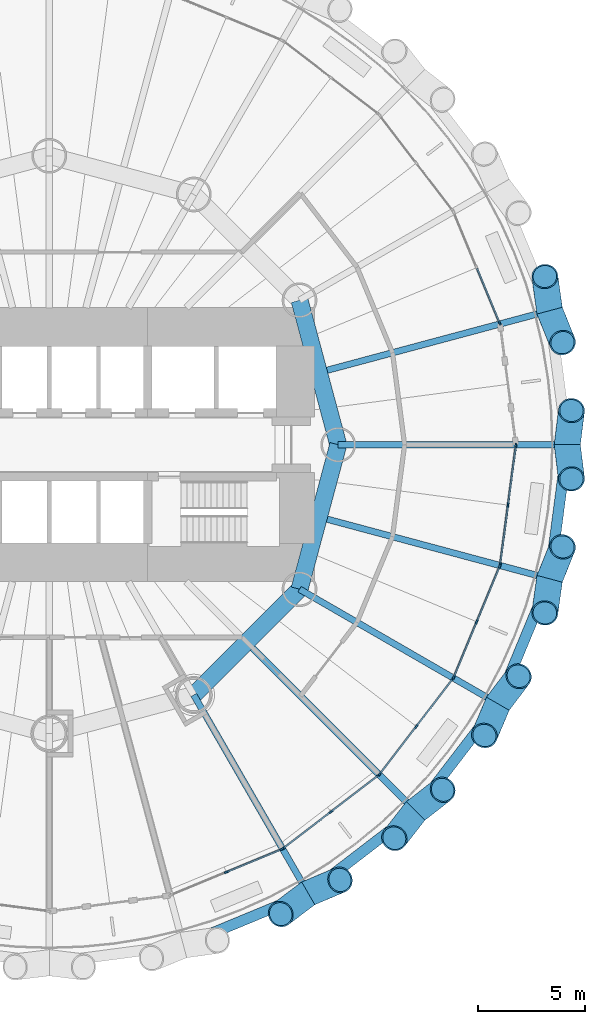
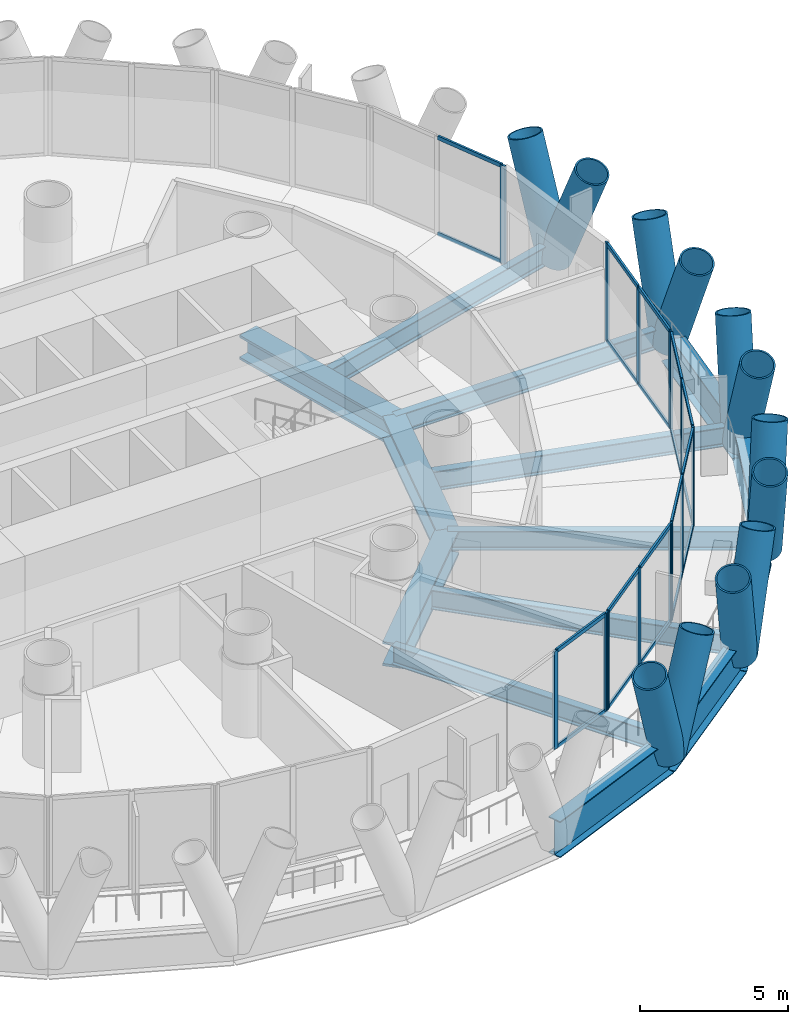
# One storey, part 4 of 16: 47 members, 14 beams, 6 elements without a shape of their own.
"""IFC4 building model written with IfcOpenShell, lengths in metres."""

import ifcopenshell
import ifcopenshell.guid

model = None  # the IFC model being written
_history = None  # IfcOwnerHistory: only IFC2X3 demands one
_inside = {}  # id of a spatial element -> (the spatial element, [elements in it])
_under = {}  # id of a project, library or spatial element -> (it, [spatial elements below it])
_declared = {}  # id of a project -> (the project, [libraries it declares])
_typed = {}  # id of a type object -> (the type object, [elements of that type])
_made_of = {}  # id of a material, layer set ... -> (it, [elements and type objects made of it])


def new_model(schema):
    """Start an empty IFC model of exactly this schema.

    Asked for "IFC4X3", IfcOpenShell would pick the latest addendum, in which some entities
    have other attributes; the version numbers below select the first issue.
    IFC2X3 requires an IfcOwnerHistory on every rooted entity: one is made here for all.
    """
    global model, _history
    if schema == "IFC4X3":
        model = ifcopenshell.file(schema_version=(4, 3, 0, 0))
    else:
        model = ifcopenshell.file(schema=schema)
    _inside.clear()
    _under.clear()
    _declared.clear()
    _typed.clear()
    _made_of.clear()
    _history = None
    if model.schema == "IFC2X3":
        org = make("IfcOrganization", Name="unknown")
        user = make(
            "IfcPersonAndOrganization",
            ThePerson=make("IfcPerson", FamilyName="unknown"),
            TheOrganization=org,
        )
        app = make(
            "IfcApplication",
            ApplicationDeveloper=org,
            Version="unknown",
            ApplicationFullName="unknown",
            ApplicationIdentifier="unknown",
        )
        _history = make(
            "IfcOwnerHistory",
            OwningUser=user,
            OwningApplication=app,
            ChangeAction="ADDED",
            CreationDate=0,
        )
    return model


def make(cls, **values):
    """One entity of the class cls with the attributes given. An attribute that is None is left unset."""
    return model.create_entity(
        cls, **{name: value for name, value in values.items() if value is not None}
    )


def rooted(cls, **values):
    """An entity with a GlobalId (a new one), such as an element, a storey or a relation."""
    return make(cls, GlobalId=ifcopenshell.guid.new(), OwnerHistory=_history, **values)


def si_unit(unit_type, name, prefix=None):
    """IfcSIUnit, for example si_unit("LENGTHUNIT", "METRE", prefix="MILLI")."""
    return make("IfcSIUnit", UnitType=unit_type, Prefix=prefix, Name=name)


def assignment(units):
    """IfcUnitAssignment: the units of a project."""
    return None if units is None else make("IfcUnitAssignment", Units=units)


def point(xyz):
    """IfcCartesianPoint."""
    return None if xyz is None else make("IfcCartesianPoint", Coordinates=xyz)


def direction(xyz):
    """IfcDirection."""
    return None if xyz is None else make("IfcDirection", DirectionRatios=xyz)


def frame(location, z_axis=None, x_axis=None):
    """IfcAxis2Placement3D, a coordinate frame: its origin and axes. An axis left out is left unset."""
    return make(
        "IfcAxis2Placement3D",
        Location=point(location),
        Axis=direction(z_axis),
        RefDirection=direction(x_axis),
    )


def frame_2d(location, x_axis=None):
    """IfcAxis2Placement2D, a coordinate frame in the plane: its origin and x axis."""
    return make(
        "IfcAxis2Placement2D", Location=point(location), RefDirection=direction(x_axis)
    )


def origin():
    """The frame at (0, 0, 0) with its axes left unset."""
    return frame((0.0, 0.0, 0.0))


def origin_2d():
    """The frame at (0, 0) in the plane with its x axis left unset."""
    return frame_2d((0.0, 0.0))


def place(relative_to, where):
    """IfcLocalPlacement: puts the frame where relative to a parent placement (None: the world)."""
    return make(
        "IfcLocalPlacement", PlacementRelTo=relative_to, RelativePlacement=where
    )


def context(
    kind, dimensions, precision=None, world=None, true_north=None, identifier=None
):
    """IfcGeometricRepresentationContext, for example the 3D "Model" context."""
    return make(
        "IfcGeometricRepresentationContext",
        ContextIdentifier=identifier,
        ContextType=kind,
        CoordinateSpaceDimension=dimensions,
        Precision=precision,
        WorldCoordinateSystem=world,
        TrueNorth=true_north,
    )


def subcontext(parent, identifier, kind, view, scale=None):
    """IfcGeometricRepresentationSubContext, for example "Body" below "Model"."""
    return make(
        "IfcGeometricRepresentationSubContext",
        ContextIdentifier=identifier,
        ContextType=kind,
        ParentContext=parent,
        TargetScale=scale,
        TargetView=view,
    )


def project(units=None, contexts=None):
    """IfcProject with its units and contexts."""
    return rooted(
        "IfcProject",
        Name="project",
        RepresentationContexts=contexts,
        UnitsInContext=assignment(units),
    )


def spatial(cls, under=None, at=None, **own):
    """A site, building, storey or space (cls), placed at a placement, below another one or the project."""
    s = rooted(cls, ObjectPlacement=at, **own)
    if under is not None:
        _under.setdefault(under.id(), (under, []))[1].append(s)
    return s


def profile(cls, at=None, kind="AREA", **sizes):
    """A parametric profile (cls). Its sizes go by their IFC names, for example OverallWidth=200.0."""
    return make(cls, ProfileType=kind, Position=at, **sizes)


def rectangle(**sizes):
    """IfcRectangleProfileDef."""
    return profile("IfcRectangleProfileDef", **sizes)


def hollow_circle(**sizes):
    """IfcCircleHollowProfileDef."""
    return profile("IfcCircleHollowProfileDef", **sizes)


def i_section(**sizes):
    """IfcIShapeProfileDef."""
    return profile("IfcIShapeProfileDef", **sizes)


def extrude(swept, where, along, depth):
    """IfcExtrudedAreaSolid: the profile swept, set in the frame where, extruded along a direction by depth."""
    return make(
        "IfcExtrudedAreaSolid",
        SweptArea=swept,
        Position=where,
        ExtrudedDirection=direction(along),
        Depth=depth,
    )


def shape(context_of_items, identifier, shape_type, items):
    """IfcShapeRepresentation: the items that make up one representation, for example the "Body"."""
    return make(
        "IfcShapeRepresentation",
        ContextOfItems=context_of_items,
        RepresentationIdentifier=identifier,
        RepresentationType=shape_type,
        Items=items,
    )


def material(Name=None, Category=None):
    """IfcMaterial."""
    return make("IfcMaterial", Name=Name, Category=Category)


def material_profile(
    of_material, cross_section, Name=None, Category=None, Priority=None
):
    """IfcMaterialProfile: a cross section and its material."""
    return make(
        "IfcMaterialProfile",
        Name=Name,
        Material=of_material,
        Profile=cross_section,
        Priority=Priority,
        Category=Category,
    )


def profile_set(profiles, Name=None, composite=None):
    """IfcMaterialProfileSet."""
    return make(
        "IfcMaterialProfileSet",
        Name=Name,
        MaterialProfiles=profiles,
        CompositeProfile=composite,
    )


def made_of(thing, what):
    """Note that an element or type object is made of a material, layer set ...; save() writes the relation."""
    if what is not None:
        _made_of.setdefault(what.id(), (what, []))[1].append(thing)
    return thing


def type_object(cls, material=None, **own):
    """A type object (cls), such as IfcWallType, which elements share."""
    return made_of(rooted(cls, **own), material)


def element(
    cls,
    number,
    at=None,
    inside=None,
    cuts=None,
    type_object=None,
    material=None,
    context=None,
    identifier="Body",
    shape_type=None,
    held_by="IfcProductDefinitionShape",
    body=None,
    shapes=None,
    **own,
):
    """One element of the class cls, such as IfcWall. Its Tag is "e" and its number.

    at: its placement. inside: the storey or other place that contains it. cuts: it is an
    opening in that element (IfcRelVoidsElement). A single representation is given by context,
    identifier, shape_type and body (its items); several are given by shapes. held_by: the class
    of the entity that holds the representations. save() writes the other relations.
    """
    e = rooted(cls, Tag="e%d" % number, ObjectPlacement=at, **own)
    if body is not None:
        shapes = [shape(context, identifier, shape_type, body)]
    if shapes is not None:
        e.Representation = make(held_by, Representations=shapes)
    if inside is not None:
        _inside.setdefault(inside.id(), (inside, []))[1].append(e)
    if cuts is not None:
        rooted(
            "IfcRelVoidsElement", RelatingBuildingElement=cuts, RelatedOpeningElement=e
        )
    if type_object is not None:
        _typed.setdefault(type_object.id(), (type_object, []))[1].append(e)
    return made_of(e, material)


def aggregate(whole, parts):
    """IfcRelAggregates: a whole, such as a stair, and the parts it consists of."""
    return rooted("IfcRelAggregates", RelatingObject=whole, RelatedObjects=parts)


def save(model, path):
    """Write the relations noted so far, then the file.

    IfcRelAggregates (storeys below a building ...), IfcRelContainedInSpatialStructure (elements
    in a storey), IfcRelDefinesByType, IfcRelAssociatesMaterial and IfcRelDeclares: one each for
    every whole, place, type object, material and project.
    """
    for whole, parts in _under.values():
        aggregate(whole, parts)
    for where, things in _inside.values():
        rooted(
            "IfcRelContainedInSpatialStructure",
            RelatedElements=things,
            RelatingStructure=where,
        )
    for kind, things in _typed.values():
        rooted("IfcRelDefinesByType", RelatedObjects=things, RelatingType=kind)
    for what, things in _made_of.values():
        rooted("IfcRelAssociatesMaterial", RelatedObjects=things, RelatingMaterial=what)
    for by, libraries in _declared.values():
        rooted("IfcRelDeclares", RelatingContext=by, RelatedDefinitions=libraries)
    model.write(path)


model = new_model("IFC4")

# Units and contexts
model_context = context("Model", 3, precision=1e-05, world=origin(), true_north=direction((0.0, 1.0)))
body_context = subcontext(model_context, "Body", "Model", "MODEL_VIEW")
ifc_project = project(units=[si_unit("LENGTHUNIT", "METRE"), si_unit("AREAUNIT", "SQUARE_METRE"), si_unit("VOLUMEUNIT", "CUBIC_METRE"), si_unit("PLANEANGLEUNIT", "RADIAN"), si_unit("MASSUNIT", "GRAM", prefix="KILO")], contexts=[model_context])

# Site, building, storey
site_placement = place(None, origin())
site = spatial("IfcSite", under=ifc_project, at=site_placement, CompositionType="ELEMENT")
building_placement = place(site_placement, origin())
building = spatial("IfcBuilding", under=site, at=building_placement, Name="Qaws Media Tower", CompositionType="ELEMENT")
storey_placement = place(building_placement, frame((0.0, 0.0, 42.800048828125)))
storey = spatial("IfcBuildingStorey", under=building, at=storey_placement, Name="L08", CompositionType="ELEMENT", Elevation=42.800048828125)

# Curtain wall, member
ifc_material_1 = material(Name="Aluminium and clear glass", Category="aluminium")
curtain_wall_type = type_object("IfcCurtainWallType", Name="Unitised curtain wall CW-A", PredefinedType="NOTDEFINED", material=ifc_material_1)
curtain_wall_1_placement = place(storey_placement, origin())
curtain_wall_1 = element("IfcCurtainWall", 1, at=curtain_wall_1_placement, inside=storey, type_object=curtain_wall_type, Name="CWA curtain wall L08-02", PredefinedType="NOTDEFINED")
ifc_material_2 = material(Name="Aluminium mullion", Category="aluminium")
ifc_material_profile_1 = material_profile(ifc_material_2, rectangle(XDim=0.080078125, YDim=0.199951171875, at=origin_2d()), Name="80x200")
ifc_profile_set_1 = profile_set([ifc_material_profile_1], Name="Aluminium mullion")
member_type_1 = type_object("IfcMemberType", Name="Curtain wall mullion 80x200", PredefinedType="MULLION", material=ifc_profile_set_1)
member_1_placement = place(storey_placement, frame((81.0419921875, 55.67919921875, 0.0), z_axis=(0.0, 0.0, 1.0), x_axis=(-0.923879550311, -0.382683389393, 0.0)))
member_1 = element("IfcMember", 2, at=member_1_placement, type_object=member_type_1, Name="CWA mullion 1", PredefinedType="MULLION", context=body_context, shape_type="SweptSolid", body=[
    extrude(rectangle(XDim=0.080078125, YDim=0.199951171875, at=origin_2d()), origin(), (0.0, 0.0, 1.0), 4.0400390625),
])

# Curtain wall, members
curtain_wall_2_placement = place(storey_placement, origin())
curtain_wall_2 = element("IfcCurtainWall", 3, at=curtain_wall_2_placement, inside=storey, type_object=curtain_wall_type, Name="CWA curtain wall L08-20", PredefinedType="NOTDEFINED")
member_2_placement = place(storey_placement, frame((68.271240234375, 30.03173828125, 0.0), z_axis=(0.0, 0.0, 1.0), x_axis=(-0.382683389393, 0.923879550311, 0.0)))
member_2 = element("IfcMember", 4, at=member_2_placement, type_object=member_type_1, Name="CWA mullion 2", PredefinedType="MULLION", context=body_context, shape_type="SweptSolid", body=[
    extrude(rectangle(XDim=0.080078125, YDim=0.199951171875, at=origin_2d()), origin(), (0.0, 0.0, 1.0), 4.0400390625),
])
member_3_placement = place(storey_placement, frame((70.863037109375, 31.105224609375, 0.0), z_axis=(0.0, 0.0, 1.0), x_axis=(-0.382683389393, 0.923879550311, 0.0)))
member_3 = element("IfcMember", 5, at=member_3_placement, type_object=member_type_1, Name="CWA mullion 3", PredefinedType="MULLION", context=body_context, shape_type="SweptSolid", body=[
    extrude(rectangle(XDim=0.080078125, YDim=0.199951171875, at=origin_2d()), origin(), (0.0, 0.0, 1.0), 4.0400390625),
])

curtain_wall_3_placement = place(storey_placement, origin())
curtain_wall_3 = element("IfcCurtainWall", 6, at=curtain_wall_3_placement, inside=storey, type_object=curtain_wall_type, Name="CWA curtain wall L08-21", PredefinedType="NOTDEFINED")
member_4_placement = place(storey_placement, frame((70.931640625, 31.14501953125, 0.0), z_axis=(0.0, 0.0, 1.0), x_axis=(-0.608761417599, 0.793353349046, 0.0)))
member_4 = element("IfcMember", 7, at=member_4_placement, type_object=member_type_1, Name="CWA mullion 1", PredefinedType="MULLION", context=body_context, shape_type="SweptSolid", body=[
    extrude(rectangle(XDim=0.080078125, YDim=0.199951171875, at=origin_2d()), origin(), (0.0, 0.0, 1.0), 4.0400390625),
])
member_5_placement = place(storey_placement, frame((73.157470703125, 32.852783203125, 0.0), z_axis=(0.0, 0.0, 1.0), x_axis=(-0.608761417599, 0.793353349046, 0.0)))
member_5 = element("IfcMember", 8, at=member_5_placement, type_object=member_type_1, Name="CWA mullion 2", PredefinedType="MULLION", context=body_context, shape_type="SweptSolid", body=[
    extrude(rectangle(XDim=0.080078125, YDim=0.199951171875, at=origin_2d()), origin(), (0.0, 0.0, 1.0), 4.0400390625),
])
member_6_placement = place(storey_placement, frame((75.38330078125, 34.560791015625, 0.0), z_axis=(0.0, 0.0, 1.0), x_axis=(-0.608761417599, 0.793353349046, 0.0)))
member_6 = element("IfcMember", 9, at=member_6_placement, type_object=member_type_1, Name="CWA mullion 3", PredefinedType="MULLION", context=body_context, shape_type="SweptSolid", body=[
    extrude(rectangle(XDim=0.080078125, YDim=0.199951171875, at=origin_2d()), origin(), (0.0, 0.0, 1.0), 4.0400390625),
])

curtain_wall_4_placement = place(storey_placement, origin())
curtain_wall_4 = element("IfcCurtainWall", 10, at=curtain_wall_4_placement, inside=storey, type_object=curtain_wall_type, Name="CWA curtain wall L08-22", PredefinedType="NOTDEFINED")
member_7_placement = place(storey_placement, frame((75.439208984375, 34.61669921875, 0.0), z_axis=(0.0, 0.0, 1.0), x_axis=(-0.793353349046, 0.608761417599, 0.0)))
member_7 = element("IfcMember", 11, at=member_7_placement, type_object=member_type_1, Name="CWA mullion 1", PredefinedType="MULLION", context=body_context, shape_type="SweptSolid", body=[
    extrude(rectangle(XDim=0.080078125, YDim=0.199951171875, at=origin_2d()), origin(), (0.0, 0.0, 1.0), 4.0400390625),
])
member_8_placement = place(storey_placement, frame((77.147216796875, 36.842529296875, 0.0), z_axis=(0.0, 0.0, 1.0), x_axis=(-0.793353349046, 0.608761417599, 0.0)))
member_8 = element("IfcMember", 12, at=member_8_placement, type_object=member_type_1, Name="CWA mullion 2", PredefinedType="MULLION", context=body_context, shape_type="SweptSolid", body=[
    extrude(rectangle(XDim=0.080078125, YDim=0.199951171875, at=origin_2d()), origin(), (0.0, 0.0, 1.0), 4.0400390625),
])
member_9_placement = place(storey_placement, frame((78.85498046875, 39.068359375, 0.0), z_axis=(0.0, 0.0, 1.0), x_axis=(-0.793353349046, 0.608761417599, 0.0)))
member_9 = element("IfcMember", 13, at=member_9_placement, type_object=member_type_1, Name="CWA mullion 3", PredefinedType="MULLION", context=body_context, shape_type="SweptSolid", body=[
    extrude(rectangle(XDim=0.080078125, YDim=0.199951171875, at=origin_2d()), origin(), (0.0, 0.0, 1.0), 4.0400390625),
])

curtain_wall_5_placement = place(storey_placement, origin())
curtain_wall_5 = element("IfcCurtainWall", 14, at=curtain_wall_5_placement, inside=storey, type_object=curtain_wall_type, Name="CWA curtain wall L08-23", PredefinedType="NOTDEFINED")
member_10_placement = place(storey_placement, frame((78.894775390625, 39.136962890625, 0.0), z_axis=(0.0, 0.0, 1.0), x_axis=(-0.923879550311, 0.382683389393, 0.0)))
member_10 = element("IfcMember", 15, at=member_10_placement, type_object=member_type_1, Name="CWA mullion 1", PredefinedType="MULLION", context=body_context, shape_type="SweptSolid", body=[
    extrude(rectangle(XDim=0.080078125, YDim=0.199951171875, at=origin_2d()), origin(), (0.0, 0.0, 1.0), 4.0400390625),
])
member_11_placement = place(storey_placement, frame((79.96826171875, 41.728759765625, 0.0), z_axis=(0.0, 0.0, 1.0), x_axis=(-0.923879550311, 0.382683389393, 0.0)))
member_11 = element("IfcMember", 16, at=member_11_placement, type_object=member_type_1, Name="CWA mullion 2", PredefinedType="MULLION", context=body_context, shape_type="SweptSolid", body=[
    extrude(rectangle(XDim=0.080078125, YDim=0.199951171875, at=origin_2d()), origin(), (0.0, 0.0, 1.0), 4.0400390625),
])
member_12_placement = place(storey_placement, frame((81.0419921875, 44.32080078125, 0.0), z_axis=(0.0, 0.0, 1.0), x_axis=(-0.923879550311, 0.382683389393, 0.0)))
member_12 = element("IfcMember", 17, at=member_12_placement, type_object=member_type_1, Name="CWA mullion 3", PredefinedType="MULLION", context=body_context, shape_type="SweptSolid", body=[
    extrude(rectangle(XDim=0.080078125, YDim=0.199951171875, at=origin_2d()), origin(), (0.0, 0.0, 1.0), 4.0400390625),
])

curtain_wall_6_placement = place(storey_placement, origin())
curtain_wall_6 = element("IfcCurtainWall", 18, at=curtain_wall_6_placement, inside=storey, type_object=curtain_wall_type, Name="CWA curtain wall L08-24", PredefinedType="NOTDEFINED")
member_13_placement = place(storey_placement, frame((81.0625, 44.3974609375, 0.0), z_axis=(0.0, 0.0, 1.0), x_axis=(-0.991444860526, 0.130526198657, 0.0)))
member_13 = element("IfcMember", 19, at=member_13_placement, type_object=member_type_1, Name="CWA mullion 1", PredefinedType="MULLION", context=body_context, shape_type="SweptSolid", body=[
    extrude(rectangle(XDim=0.080078125, YDim=0.199951171875, at=origin_2d()), origin(), (0.0, 0.0, 1.0), 4.0400390625),
])
member_14_placement = place(storey_placement, frame((81.4287109375, 47.178955078125, 0.0), z_axis=(0.0, 0.0, 1.0), x_axis=(-0.991444860526, 0.130526198657, 0.0)))
member_14 = element("IfcMember", 20, at=member_14_placement, type_object=member_type_1, Name="CWA mullion 2", PredefinedType="MULLION", context=body_context, shape_type="SweptSolid", body=[
    extrude(rectangle(XDim=0.080078125, YDim=0.199951171875, at=origin_2d()), origin(), (0.0, 0.0, 1.0), 4.0400390625),
])
member_15_placement = place(storey_placement, frame((81.794677734375, 49.96044921875, 0.0), z_axis=(0.0, 0.0, 1.0), x_axis=(-0.991444860526, 0.130526198657, 0.0)))
member_15 = element("IfcMember", 21, at=member_15_placement, type_object=member_type_1, Name="CWA mullion 3", PredefinedType="MULLION", context=body_context, shape_type="SweptSolid", body=[
    extrude(rectangle(XDim=0.080078125, YDim=0.199951171875, at=origin_2d()), origin(), (0.0, 0.0, 1.0), 4.0400390625),
])

# Member
ifc_material_3 = material(Name="Aluminium transom", Category="aluminium")
ifc_material_profile_2 = material_profile(ifc_material_3, rectangle(XDim=0.080078125, YDim=0.159912109375, at=origin_2d()), Name="80x160")
ifc_profile_set_2 = profile_set([ifc_material_profile_2], Name="Aluminium transom")
member_type_2 = type_object("IfcMemberType", Name="Curtain wall transom 80x160", PredefinedType="USERDEFINED", material=ifc_profile_set_2)
member_16_placement = place(storey_placement, frame((81.026611328125, 55.716064453125, 0.0400390625), z_axis=(-0.382668241498, 0.923885824628, 0.0), x_axis=(-0.923885824628, -0.382668241498, 0.0)))
member_16 = element("IfcMember", 22, at=member_16_placement, type_object=member_type_2, Name="CWA transom 1.1", ObjectType="TRANSOM", PredefinedType="USERDEFINED", context=body_context, shape_type="SweptSolid", body=[
    extrude(rectangle(XDim=0.080078125, YDim=0.159912109375, at=origin_2d()), origin(), (0.0, 0.0, 1.0), 2.7255859375),
])

member_17_placement = place(storey_placement, frame((81.026611328125, 55.716064453125, 4.0), z_axis=(-0.382668241498, 0.923885824628, 0.0), x_axis=(-0.923885824628, -0.382668241498, 0.0)))
member_17 = element("IfcMember", 23, at=member_17_placement, type_object=member_type_2, Name="CWA transom 1.2", ObjectType="TRANSOM", PredefinedType="USERDEFINED", context=body_context, shape_type="SweptSolid", body=[
    extrude(rectangle(XDim=0.080078125, YDim=0.159912109375, at=origin_2d()), origin(), (0.0, 0.0, 1.0), 2.7255859375),
])

aggregate(curtain_wall_1, [member_1, member_16, member_17])

member_18_placement = place(storey_placement, frame((68.30810546875, 30.047119140625, 0.0400390625), z_axis=(0.923885824628, 0.382668241498, 0.0), x_axis=(-0.382668241498, 0.923885824628, 0.0)))
member_18 = element("IfcMember", 24, at=member_18_placement, type_object=member_type_2, Name="CWA transom 2.1", ObjectType="TRANSOM", PredefinedType="USERDEFINED", context=body_context, shape_type="SweptSolid", body=[
    extrude(rectangle(XDim=0.080078125, YDim=0.159912109375, at=origin_2d()), origin(), (0.0, 0.0, 1.0), 2.7255859375),
])

member_19_placement = place(storey_placement, frame((68.30810546875, 30.047119140625, 4.0), z_axis=(0.923885824628, 0.382668241498, 0.0), x_axis=(-0.382668241498, 0.923885824628, 0.0)))
member_19 = element("IfcMember", 25, at=member_19_placement, type_object=member_type_2, Name="CWA transom 2.2", ObjectType="TRANSOM", PredefinedType="USERDEFINED", context=body_context, shape_type="SweptSolid", body=[
    extrude(rectangle(XDim=0.080078125, YDim=0.159912109375, at=origin_2d()), origin(), (0.0, 0.0, 1.0), 2.7255859375),
])

aggregate(curtain_wall_2, [member_2, member_3, member_18, member_19])

member_20_placement = place(storey_placement, frame((70.96337890625, 31.16943359375, 0.0400390625), z_axis=(0.793362647097, 0.608749299951, 0.0), x_axis=(-0.608749299951, 0.793362647097, 0.0)))
member_20 = element("IfcMember", 26, at=member_20_placement, type_object=member_type_2, Name="CWA transom 1.1", ObjectType="TRANSOM", PredefinedType="USERDEFINED", context=body_context, shape_type="SweptSolid", body=[
    extrude(rectangle(XDim=0.080078125, YDim=0.159912109375, at=origin_2d()), origin(), (0.0, 0.0, 1.0), 2.7255859375),
])

member_21_placement = place(storey_placement, frame((70.96337890625, 31.16943359375, 4.0), z_axis=(0.793362647097, 0.608749299951, 0.0), x_axis=(-0.608749299951, 0.793362647097, 0.0)))
member_21 = element("IfcMember", 27, at=member_21_placement, type_object=member_type_2, Name="CWA transom 1.2", ObjectType="TRANSOM", PredefinedType="USERDEFINED", context=body_context, shape_type="SweptSolid", body=[
    extrude(rectangle(XDim=0.080078125, YDim=0.159912109375, at=origin_2d()), origin(), (0.0, 0.0, 1.0), 2.7255859375),
])

member_22_placement = place(storey_placement, frame((73.189208984375, 32.877197265625, 0.0400390625), z_axis=(0.793362647097, 0.608749299951, 0.0), x_axis=(-0.608749299951, 0.793362647097, 0.0)))
member_22 = element("IfcMember", 28, at=member_22_placement, type_object=member_type_2, Name="CWA transom 2.1", ObjectType="TRANSOM", PredefinedType="USERDEFINED", context=body_context, shape_type="SweptSolid", body=[
    extrude(rectangle(XDim=0.080078125, YDim=0.159912109375, at=origin_2d()), origin(), (0.0, 0.0, 1.0), 2.7255859375),
])

member_23_placement = place(storey_placement, frame((73.189208984375, 32.877197265625, 4.0), z_axis=(0.793362647097, 0.608749299951, 0.0), x_axis=(-0.608749299951, 0.793362647097, 0.0)))
member_23 = element("IfcMember", 29, at=member_23_placement, type_object=member_type_2, Name="CWA transom 2.2", ObjectType="TRANSOM", PredefinedType="USERDEFINED", context=body_context, shape_type="SweptSolid", body=[
    extrude(rectangle(XDim=0.080078125, YDim=0.159912109375, at=origin_2d()), origin(), (0.0, 0.0, 1.0), 2.7255859375),
])

aggregate(curtain_wall_3, [member_4, member_5, member_6, member_20, member_21, member_22, member_23])

member_24_placement = place(storey_placement, frame((75.463623046875, 34.6484375, 0.0400390625), z_axis=(0.608749299951, 0.793362647097, 0.0), x_axis=(-0.793362647097, 0.608749299951, 0.0)))
member_24 = element("IfcMember", 30, at=member_24_placement, type_object=member_type_2, Name="CWA transom 1.1", ObjectType="TRANSOM", PredefinedType="USERDEFINED", context=body_context, shape_type="SweptSolid", body=[
    extrude(rectangle(XDim=0.080078125, YDim=0.159912109375, at=origin_2d()), origin(), (0.0, 0.0, 1.0), 2.7255859375),
])

member_25_placement = place(storey_placement, frame((75.463623046875, 34.6484375, 4.0), z_axis=(0.608749299951, 0.793362647097, 0.0), x_axis=(-0.793362647097, 0.608749299951, 0.0)))
member_25 = element("IfcMember", 31, at=member_25_placement, type_object=member_type_2, Name="CWA transom 1.2", ObjectType="TRANSOM", PredefinedType="USERDEFINED", context=body_context, shape_type="SweptSolid", body=[
    extrude(rectangle(XDim=0.080078125, YDim=0.159912109375, at=origin_2d()), origin(), (0.0, 0.0, 1.0), 2.7255859375),
])

member_26_placement = place(storey_placement, frame((77.17138671875, 36.874267578125, 0.0400390625), z_axis=(0.608749299951, 0.793362647097, 0.0), x_axis=(-0.793362647097, 0.608749299951, 0.0)))
member_26 = element("IfcMember", 32, at=member_26_placement, type_object=member_type_2, Name="CWA transom 2.1", ObjectType="TRANSOM", PredefinedType="USERDEFINED", context=body_context, shape_type="SweptSolid", body=[
    extrude(rectangle(XDim=0.080078125, YDim=0.159912109375, at=origin_2d()), origin(), (0.0, 0.0, 1.0), 2.7255859375),
])

member_27_placement = place(storey_placement, frame((77.17138671875, 36.874267578125, 4.0), z_axis=(0.608749299951, 0.793362647097, 0.0), x_axis=(-0.793362647097, 0.608749299951, 0.0)))
member_27 = element("IfcMember", 33, at=member_27_placement, type_object=member_type_2, Name="CWA transom 2.2", ObjectType="TRANSOM", PredefinedType="USERDEFINED", context=body_context, shape_type="SweptSolid", body=[
    extrude(rectangle(XDim=0.080078125, YDim=0.159912109375, at=origin_2d()), origin(), (0.0, 0.0, 1.0), 2.7255859375),
])

aggregate(curtain_wall_4, [member_7, member_8, member_9, member_24, member_25, member_26, member_27])

member_28_placement = place(storey_placement, frame((78.909912109375, 39.173828125, 0.0400390625), z_axis=(0.382668241498, 0.923885824628, 0.0), x_axis=(-0.923885824628, 0.382668241498, 0.0)))
member_28 = element("IfcMember", 34, at=member_28_placement, type_object=member_type_2, Name="CWA transom 1.1", ObjectType="TRANSOM", PredefinedType="USERDEFINED", context=body_context, shape_type="SweptSolid", body=[
    extrude(rectangle(XDim=0.080078125, YDim=0.159912109375, at=origin_2d()), origin(), (0.0, 0.0, 1.0), 2.7255859375),
])

member_29_placement = place(storey_placement, frame((78.909912109375, 39.173828125, 4.0), z_axis=(0.382668241498, 0.923885824628, 0.0), x_axis=(-0.923885824628, 0.382668241498, 0.0)))
member_29 = element("IfcMember", 35, at=member_29_placement, type_object=member_type_2, Name="CWA transom 1.2", ObjectType="TRANSOM", PredefinedType="USERDEFINED", context=body_context, shape_type="SweptSolid", body=[
    extrude(rectangle(XDim=0.080078125, YDim=0.159912109375, at=origin_2d()), origin(), (0.0, 0.0, 1.0), 2.7255859375),
])

member_30_placement = place(storey_placement, frame((79.983642578125, 41.765869140625, 0.0400390625), z_axis=(0.382668241498, 0.923885824628, 0.0), x_axis=(-0.923885824628, 0.382668241498, 0.0)))
member_30 = element("IfcMember", 36, at=member_30_placement, type_object=member_type_2, Name="CWA transom 2.1", ObjectType="TRANSOM", PredefinedType="USERDEFINED", context=body_context, shape_type="SweptSolid", body=[
    extrude(rectangle(XDim=0.080078125, YDim=0.159912109375, at=origin_2d()), origin(), (0.0, 0.0, 1.0), 2.7255859375),
])

member_31_placement = place(storey_placement, frame((79.983642578125, 41.765869140625, 4.0), z_axis=(0.382668241498, 0.923885824628, 0.0), x_axis=(-0.923885824628, 0.382668241498, 0.0)))
member_31 = element("IfcMember", 37, at=member_31_placement, type_object=member_type_2, Name="CWA transom 2.2", ObjectType="TRANSOM", PredefinedType="USERDEFINED", context=body_context, shape_type="SweptSolid", body=[
    extrude(rectangle(XDim=0.080078125, YDim=0.159912109375, at=origin_2d()), origin(), (0.0, 0.0, 1.0), 2.7255859375),
])

aggregate(curtain_wall_5, [member_10, member_11, member_12, member_28, member_29, member_30, member_31])

member_32_placement = place(storey_placement, frame((81.067626953125, 44.43701171875, 0.0400390625), z_axis=(0.130514759302, 0.991446366479, 0.0), x_axis=(-0.991446366479, 0.130514759302, 0.0)))
member_32 = element("IfcMember", 38, at=member_32_placement, type_object=member_type_2, Name="CWA transom 1.1", ObjectType="TRANSOM", PredefinedType="USERDEFINED", context=body_context, shape_type="SweptSolid", body=[
    extrude(rectangle(XDim=0.080078125, YDim=0.159912109375, at=origin_2d()), origin(), (0.0, 0.0, 1.0), 2.725341796875),
])

member_33_placement = place(storey_placement, frame((81.067626953125, 44.43701171875, 4.0), z_axis=(0.130514759302, 0.991446366479, 0.0), x_axis=(-0.991446366479, 0.130514759302, 0.0)))
member_33 = element("IfcMember", 39, at=member_33_placement, type_object=member_type_2, Name="CWA transom 1.2", ObjectType="TRANSOM", PredefinedType="USERDEFINED", context=body_context, shape_type="SweptSolid", body=[
    extrude(rectangle(XDim=0.080078125, YDim=0.159912109375, at=origin_2d()), origin(), (0.0, 0.0, 1.0), 2.725341796875),
])

member_34_placement = place(storey_placement, frame((81.433837890625, 47.218505859375, 0.0400390625), z_axis=(0.130514759302, 0.991446366479, 0.0), x_axis=(-0.991446366479, 0.130514759302, 0.0)))
member_34 = element("IfcMember", 40, at=member_34_placement, type_object=member_type_2, Name="CWA transom 2.1", ObjectType="TRANSOM", PredefinedType="USERDEFINED", context=body_context, shape_type="SweptSolid", body=[
    extrude(rectangle(XDim=0.080078125, YDim=0.159912109375, at=origin_2d()), origin(), (0.0, 0.0, 1.0), 2.725341796875),
])

member_35_placement = place(storey_placement, frame((81.433837890625, 47.218505859375, 4.0), z_axis=(0.130514759302, 0.991446366479, 0.0), x_axis=(-0.991446366479, 0.130514759302, 0.0)))
member_35 = element("IfcMember", 41, at=member_35_placement, type_object=member_type_2, Name="CWA transom 2.2", ObjectType="TRANSOM", PredefinedType="USERDEFINED", context=body_context, shape_type="SweptSolid", body=[
    extrude(rectangle(XDim=0.080078125, YDim=0.159912109375, at=origin_2d()), origin(), (0.0, 0.0, 1.0), 2.725341796875),
])

aggregate(curtain_wall_6, [member_13, member_14, member_15, member_32, member_33, member_34, member_35])

# Members
ifc_material_4 = material(Name="Steel S460", Category="steel")
ifc_material_profile_3 = material_profile(ifc_material_4, hollow_circle(Radius=0.609619140625, WallThickness=0.06005859375, at=origin_2d()), Name="CHS 1219x60")
ifc_profile_set_3 = profile_set([ifc_material_profile_3], Name="Steel S460")
member_type_3 = type_object("IfcMemberType", Name="Diagrid member CHS 1219x60", PredefinedType="USERDEFINED", material=ifc_profile_set_3)
for number, where, z_axis, x_axis, name in (
    (42, (84.199951171875, 50.0, -0.91015625), (0.043958409126, 0.35546614787, 0.933654901977), (-0.992440190857, 0.122729244976, 0.0), "DG1 diagrid L08 A01"),
    (43, (84.199951171875, 50.0, -0.91015625), (0.043958409126, -0.35546614787, 0.933654901977), (0.992440190857, 0.122729244976, 0.0), "DG1 diagrid L08 B01"),
):
    element("IfcMember", number, at=place(storey_placement, frame(where, z_axis=z_axis, x_axis=x_axis)), inside=storey, type_object=member_type_3, Name=name, ObjectType="DIAGRID", PredefinedType="USERDEFINED", context=body_context, shape_type="SweptSolid", body=[
        extrude(hollow_circle(Radius=0.609619140625, WallThickness=0.06005859375, at=origin_2d()), origin(), (0.0, 0.0, 1.0), 4.498779296875),
    ])
for number, where, z_axis, x_axis, name in (
    (44, (83.37548828125, 56.263427734375, -0.91015625), (-0.049602737239, 0.354708414218, 0.933660275122), (-0.990363372463, -0.138493286786, 0.0), "DG1 diagrid L08 A02"),
    (45, (83.37548828125, 56.263427734375, -0.91015625), (0.134426965907, -0.331970024406, 0.933662301763), (0.926890339933, 0.375332249798, 0.0), "DG1 diagrid L08 B02"),
    (46, (72.10009765625, 29.042236328125, -0.91015625), (0.329798159412, 0.139690712906, 0.933659294805), (-0.390020571531, 0.920806143432, 0.0), "DG1 diagrid L08 A21"),
):
    element("IfcMember", number, at=place(storey_placement, frame(where, z_axis=z_axis, x_axis=x_axis)), inside=storey, type_object=member_type_3, Name=name, ObjectType="DIAGRID", PredefinedType="USERDEFINED", context=body_context, shape_type="SweptSolid", body=[
        extrude(hollow_circle(Radius=0.609619140625, WallThickness=0.06005859375, at=origin_2d()), origin(), (0.0, 0.0, 1.0), 4.49853515625),
    ])
member_36_placement = place(storey_placement, frame((72.10009765625, 29.042236328125, -0.91015625), z_axis=(-0.285891710436, -0.215775520253, 0.933652427172), x_axis=(0.602421476492, -0.79817815346, 0.0)))
element("IfcMember", 47, at=member_36_placement, inside=storey, type_object=member_type_3, Name="DG1 diagrid L08 B21", ObjectType="DIAGRID", PredefinedType="USERDEFINED", context=body_context, shape_type="SweptSolid", body=[
    extrude(hollow_circle(Radius=0.609619140625, WallThickness=0.06005859375, at=origin_2d()), origin(), (0.0, 0.0, 1.0), 4.498779296875),
])
for number, where, z_axis, x_axis, name in (
    (48, (77.112060546875, 32.887939453125, -0.91015625), (0.282419836308, 0.220280959949, 0.933656968455), (-0.615020493965, 0.788511123576, 0.0), "DG1 diagrid L08 A22"),
    (49, (77.112060546875, 32.887939453125, -0.91015625), (-0.220280959949, -0.282419836308, 0.933656968455), (0.788511123576, -0.615020493965, 0.0), "DG1 diagrid L08 B22"),
):
    element("IfcMember", number, at=place(storey_placement, frame(where, z_axis=z_axis, x_axis=x_axis)), inside=storey, type_object=member_type_3, Name=name, ObjectType="DIAGRID", PredefinedType="USERDEFINED", context=body_context, shape_type="SweptSolid", body=[
        extrude(hollow_circle(Radius=0.609619140625, WallThickness=0.06005859375, at=origin_2d()), origin(), (0.0, 0.0, 1.0), 4.49853515625),
    ])
member_37_placement = place(storey_placement, frame((80.957763671875, 37.89990234375, -0.91015625), z_axis=(0.215775520253, 0.285891710436, 0.933652427172), x_axis=(-0.79817815346, 0.602421476492, 0.0)))
element("IfcMember", 50, at=member_37_placement, inside=storey, type_object=member_type_3, Name="DG1 diagrid L08 A23", ObjectType="DIAGRID", PredefinedType="USERDEFINED", context=body_context, shape_type="SweptSolid", body=[
    extrude(hollow_circle(Radius=0.609619140625, WallThickness=0.06005859375, at=origin_2d()), origin(), (0.0, 0.0, 1.0), 4.498779296875),
])
for number, where, z_axis, x_axis, name in (
    (51, (80.957763671875, 37.89990234375, -0.91015625), (-0.139690712906, -0.329798159412, 0.933659294805), (0.920806143432, -0.390020571531, 0.0), "DG1 diagrid L08 B23"),
    (52, (83.37548828125, 43.736572265625, -0.91015625), (0.134426965907, 0.331970024406, 0.933662301763), (-0.926890339933, 0.375332249798, 0.0), "DG1 diagrid L08 A24"),
    (53, (83.37548828125, 43.736572265625, -0.91015625), (-0.049602737239, -0.354708414218, 0.933660275122), (0.990363372463, -0.138493286786, 0.0), "DG1 diagrid L08 B24"),
):
    element("IfcMember", number, at=place(storey_placement, frame(where, z_axis=z_axis, x_axis=x_axis)), inside=storey, type_object=member_type_3, Name=name, ObjectType="DIAGRID", PredefinedType="USERDEFINED", context=body_context, shape_type="SweptSolid", body=[
        extrude(hollow_circle(Radius=0.609619140625, WallThickness=0.06005859375, at=origin_2d()), origin(), (0.0, 0.0, 1.0), 4.49853515625),
    ])

# Beams
ifc_material_5 = material(Name="Steel S460", Category="steel")
ifc_material_profile_4 = material_profile(ifc_material_5, i_section(OverallWidth=0.5, OverallDepth=1.5, WebThickness=0.02001953125, FlangeThickness=0.0400390625, at=origin_2d()), Name="PG 1500x500")
ifc_profile_set_4 = profile_set([ifc_material_profile_4], Name="Steel S460")
beam_type_1 = type_object("IfcBeamType", Name="Edge ring beam PG 1500x500", PredefinedType="BEAM", material=ifc_profile_set_4)
beam_1_placement = place(storey_placement, frame((66.263427734375, 26.62451171875, -0.91015625), z_axis=(0.923874116934, 0.382696506463, 0.0), x_axis=(-0.382696506463, 0.923874116934, 0.0)))
element("IfcBeam", 54, at=beam_1_placement, inside=storey, type_object=beam_type_1, Name="RB4 edge ring beam L08-20", PredefinedType="BEAM", context=body_context, shape_type="SweptSolid", body=[
    extrude(i_section(OverallWidth=0.5, OverallDepth=1.5, WebThickness=0.02001953125, FlangeThickness=0.0400390625, at=origin_2d()), origin(), (0.0, 0.0, 1.0), 6.317626953125),
])
for number, where, z_axis, x_axis, name in (
    (55, (72.10009765625, 29.042236328125, -0.91015625), (0.793361846321, 0.608750343575, 0.0), (-0.608750343575, 0.793361846321, 0.0), "RB4 edge ring beam L08-21"),
    (56, (77.112060546875, 32.887939453125, -0.91015625), (0.608750343575, 0.793361846321, 0.0), (-0.793361846321, 0.608750343575, 0.0), "RB4 edge ring beam L08-22"),
):
    element("IfcBeam", number, at=place(storey_placement, frame(where, z_axis=z_axis, x_axis=x_axis)), inside=storey, type_object=beam_type_1, Name=name, PredefinedType="BEAM", context=body_context, shape_type="SweptSolid", body=[
        extrude(i_section(OverallWidth=0.5, OverallDepth=1.5, WebThickness=0.02001953125, FlangeThickness=0.0400390625, at=origin_2d()), origin(), (0.0, 0.0, 1.0), 6.3173828125),
    ])
beam_2_placement = place(storey_placement, frame((80.957763671875, 37.89990234375, -0.91015625), z_axis=(0.382696506463, 0.923874116934, 0.0), x_axis=(-0.923874116934, 0.382696506463, 0.0)))
element("IfcBeam", 57, at=beam_2_placement, inside=storey, type_object=beam_type_1, Name="RB4 edge ring beam L08-23", PredefinedType="BEAM", context=body_context, shape_type="SweptSolid", body=[
    extrude(i_section(OverallWidth=0.5, OverallDepth=1.5, WebThickness=0.02001953125, FlangeThickness=0.0400390625, at=origin_2d()), origin(), (0.0, 0.0, 1.0), 6.317626953125),
])
beam_3_placement = place(storey_placement, frame((83.37548828125, 43.736572265625, -0.91015625), z_axis=(0.130505495907, 0.991447585875, 0.0), x_axis=(-0.991447585875, 0.130505495907, 0.0)))
element("IfcBeam", 58, at=beam_3_placement, inside=storey, type_object=beam_type_1, Name="RB4 edge ring beam L08-24", PredefinedType="BEAM", context=body_context, shape_type="SweptSolid", body=[
    extrude(i_section(OverallWidth=0.5, OverallDepth=1.5, WebThickness=0.02001953125, FlangeThickness=0.0400390625, at=origin_2d()), origin(), (0.0, 0.0, 1.0), 6.3173828125),
])
ifc_material_6 = material(Name="Steel S460", Category="steel")
ifc_material_profile_5 = material_profile(ifc_material_6, i_section(OverallWidth=0.800048828125, OverallDepth=1.0, WebThickness=0.0400390625, FlangeThickness=0.10009765625, at=origin_2d()), Name="PG 1000x800")
ifc_profile_set_5 = profile_set([ifc_material_profile_5], Name="Steel S460")
beam_type_2 = type_object("IfcBeamType", Name="Inner ring girder PG 1000x800", PredefinedType="BEAM", material=ifc_profile_set_5)
beam_4_placement = place(storey_placement, frame((73.5, 50.0, -0.66015625), z_axis=(-0.258810593767, 0.965928090778, 0.0), x_axis=(-0.965928090778, -0.258810593767, 0.0)))
element("IfcBeam", 59, at=beam_4_placement, inside=storey, type_object=beam_type_2, Name="B3 inner ring beam L08 I01-I02", PredefinedType="BEAM", context=body_context, shape_type="SweptSolid", body=[
    extrude(i_section(OverallWidth=0.800048828125, OverallDepth=1.0, WebThickness=0.0400390625, FlangeThickness=0.10009765625, at=origin_2d()), origin(), (0.0, 0.0, 1.0), 6.988037109375),
])
beam_5_placement = place(storey_placement, frame((66.75, 38.30859375, -0.66015625), z_axis=(0.707106781187, 0.707106781187, 0.0), x_axis=(-0.707106781187, 0.707106781187, 0.0)))
element("IfcBeam", 60, at=beam_5_placement, inside=storey, type_object=beam_type_2, Name="B3 inner ring beam L08 I11-I12", PredefinedType="BEAM", context=body_context, shape_type="SweptSolid", body=[
    extrude(i_section(OverallWidth=0.800048828125, OverallDepth=1.0, WebThickness=0.0400390625, FlangeThickness=0.10009765625, at=origin_2d()), origin(), (0.0, 0.0, 1.0), 6.98828125),
])
beam_6_placement = place(storey_placement, frame((71.69140625, 43.25, -0.66015625), z_axis=(0.258810593767, 0.965928090778, 0.0), x_axis=(-0.965928090778, 0.258810593767, 0.0)))
element("IfcBeam", 61, at=beam_6_placement, inside=storey, type_object=beam_type_2, Name="B3 inner ring beam L08 I12-I01", PredefinedType="BEAM", context=body_context, shape_type="SweptSolid", body=[
    extrude(i_section(OverallWidth=0.800048828125, OverallDepth=1.0, WebThickness=0.0400390625, FlangeThickness=0.10009765625, at=origin_2d()), origin(), (0.0, 0.0, 1.0), 6.988037109375),
])
ifc_material_7 = material(Name="Steel S355", Category="steel")
ifc_material_profile_6 = material_profile(ifc_material_7, i_section(OverallWidth=0.300048828125, OverallDepth=0.800048828125, WebThickness=0.017578125, FlangeThickness=0.032958984375, FilletRadius=0.030029296875, at=origin_2d()), Name="HE 800 B")
ifc_profile_set_6 = profile_set([ifc_material_profile_6], Name="Steel S355")
beam_type_3 = type_object("IfcBeamType", Name="Radial beam HE 800 B", PredefinedType="BEAM", material=ifc_profile_set_6)
beam_7_placement = place(storey_placement, frame((73.5, 50.0, -0.56005859375), z_axis=(1.0, 0.0, 0.0), x_axis=(0.0, 1.0, 0.0)))
element("IfcBeam", 62, at=beam_7_placement, inside=storey, type_object=beam_type_3, Name="B1 radial beam L08 01", PredefinedType="BEAM", context=body_context, shape_type="SweptSolid", body=[
    extrude(i_section(OverallWidth=0.300048828125, OverallDepth=0.800048828125, WebThickness=0.017578125, FlangeThickness=0.032958984375, FilletRadius=0.030029296875, at=origin_2d()), origin(), (0.0, 0.0, 1.0), 10.699951171875),
])
beam_8_placement = place(storey_placement, frame((72.98193359375, 53.478515625, -0.56005859375), z_axis=(0.965926580817, 0.25881622915, 0.0), x_axis=(-0.25881622915, 0.965926580817, 0.0)))
element("IfcBeam", 63, at=beam_8_placement, inside=storey, type_object=beam_type_3, Name="B1 radial beam L08 02", PredefinedType="BEAM", context=body_context, shape_type="SweptSolid", body=[
    extrude(i_section(OverallWidth=0.300048828125, OverallDepth=0.800048828125, WebThickness=0.017578125, FlangeThickness=0.032958984375, FilletRadius=0.030029296875, at=origin_2d()), origin(), (0.0, 0.0, 1.0), 10.76025390625),
])
beam_9_placement = place(storey_placement, frame((66.75, 38.30859375, -0.56005859375), z_axis=(0.500011474612, -0.866018778813, 0.0), x_axis=(0.866018778813, 0.500011474612, 0.0)))
element("IfcBeam", 64, at=beam_9_placement, inside=storey, type_object=beam_type_3, Name="B1 radial beam L08 21", PredefinedType="BEAM", context=body_context, shape_type="SweptSolid", body=[
    extrude(i_section(OverallWidth=0.300048828125, OverallDepth=0.800048828125, WebThickness=0.017578125, FlangeThickness=0.032958984375, FilletRadius=0.030029296875, at=origin_2d()), origin(), (0.0, 0.0, 1.0), 10.699951171875),
])
beam_10_placement = place(storey_placement, frame((69.50341796875, 40.49658203125, -0.56005859375), z_axis=(0.707106781187, -0.707106781187, 0.0), x_axis=(0.707106781187, 0.707106781187, 0.0)))
element("IfcBeam", 65, at=beam_10_placement, inside=storey, type_object=beam_type_3, Name="B1 radial beam L08 22", PredefinedType="BEAM", context=body_context, shape_type="SweptSolid", body=[
    extrude(i_section(OverallWidth=0.300048828125, OverallDepth=0.800048828125, WebThickness=0.017578125, FlangeThickness=0.032958984375, FilletRadius=0.030029296875, at=origin_2d()), origin(), (0.0, 0.0, 1.0), 10.76025390625),
])
beam_11_placement = place(storey_placement, frame((71.69140625, 43.25, -0.56005859375), z_axis=(0.866018778813, -0.500011474612, 0.0), x_axis=(0.500011474612, 0.866018778813, 0.0)))
element("IfcBeam", 66, at=beam_11_placement, inside=storey, type_object=beam_type_3, Name="B1 radial beam L08 23", PredefinedType="BEAM", context=body_context, shape_type="SweptSolid", body=[
    extrude(i_section(OverallWidth=0.300048828125, OverallDepth=0.800048828125, WebThickness=0.017578125, FlangeThickness=0.032958984375, FilletRadius=0.030029296875, at=origin_2d()), origin(), (0.0, 0.0, 1.0), 10.699951171875),
])
beam_12_placement = place(storey_placement, frame((72.98193359375, 46.521484375, -0.56005859375), z_axis=(0.965926580817, -0.25881622915, 0.0), x_axis=(0.25881622915, 0.965926580817, 0.0)))
element("IfcBeam", 67, at=beam_12_placement, inside=storey, type_object=beam_type_3, Name="B1 radial beam L08 24", PredefinedType="BEAM", context=body_context, shape_type="SweptSolid", body=[
    extrude(i_section(OverallWidth=0.300048828125, OverallDepth=0.800048828125, WebThickness=0.017578125, FlangeThickness=0.032958984375, FilletRadius=0.030029296875, at=origin_2d()), origin(), (0.0, 0.0, 1.0), 10.76025390625),
])

save(model, "model.ifc")
